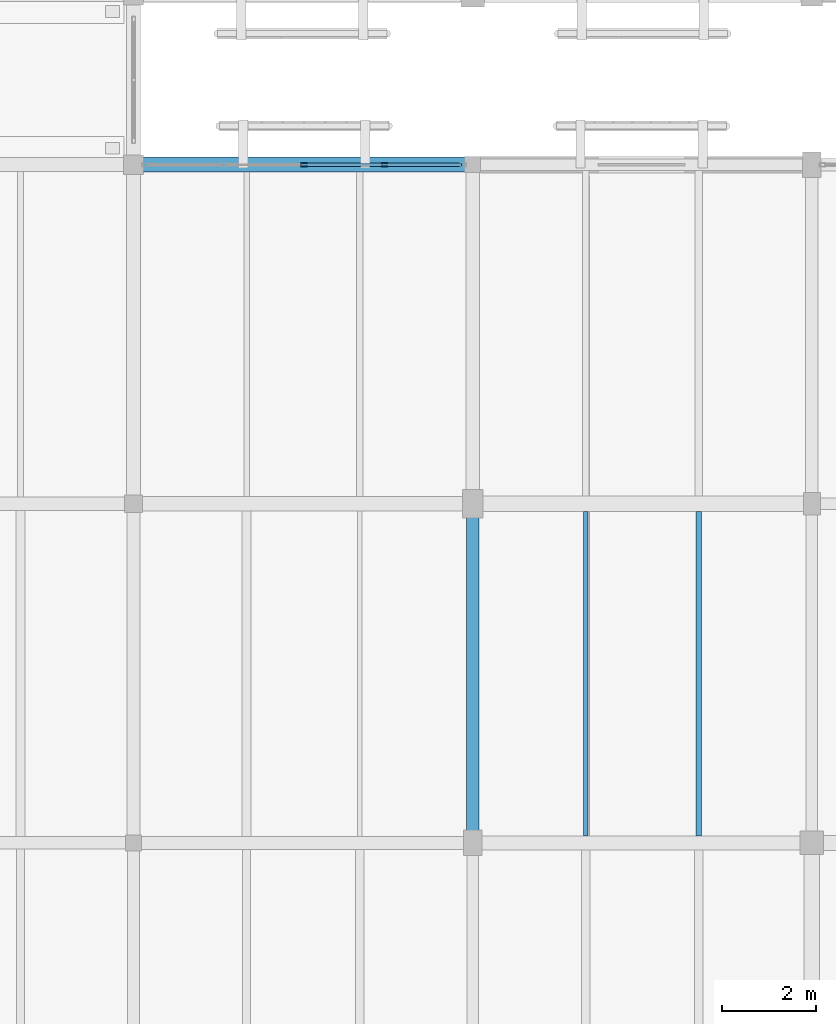
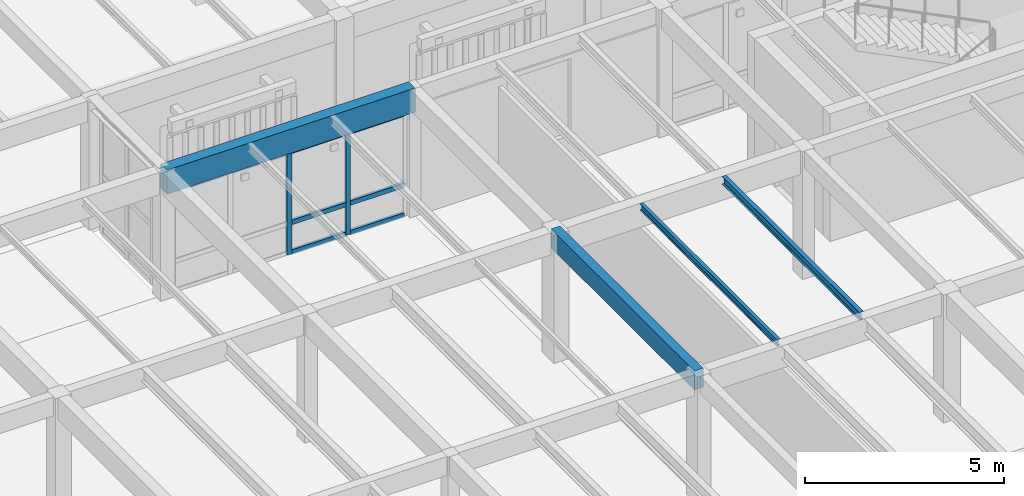
# One storey, part 137 of 217: 8 members, 4 beams, 1 element without a shape of its own.
"""IFC4 building model written with IfcOpenShell, lengths in metres."""

from ifc_helpers import new_model, si_unit, direction, frame, origin, origin_2d, place, context, subcontext, project, spatial, rectangle, hollow_rectangle, i_section, extrude, material, layer, layer_set, material_profile, profile_set, type_object, element, aggregate, save


model = new_model("IFC4")

# Units and contexts
model_context = context("Model", 3, precision=1e-05, world=origin(), true_north=direction((0.0, 1.0)))
body_context = subcontext(model_context, "Body", "Model", "MODEL_VIEW")
ifc_project = project(units=[si_unit("LENGTHUNIT", "METRE"), si_unit("AREAUNIT", "SQUARE_METRE"), si_unit("VOLUMEUNIT", "CUBIC_METRE"), si_unit("PLANEANGLEUNIT", "RADIAN"), si_unit("MASSUNIT", "GRAM", prefix="KILO")], contexts=[model_context])

# Site, building, storey
site_placement = place(None, origin())
site = spatial("IfcSite", under=ifc_project, at=site_placement, CompositionType="ELEMENT")
building_placement = place(site_placement, origin())
building = spatial("IfcBuilding", under=site, at=building_placement, Name="Mazaris Harbour Polytechnic", CompositionType="ELEMENT")
storey_placement = place(building_placement, frame((0.0, 0.0, 9.60009765625)))
storey = spatial("IfcBuildingStorey", under=building, at=storey_placement, Name="L02", CompositionType="ELEMENT", Elevation=9.60009765625)

# Curtain wall, members
ifc_material_1 = material(Name="Anodised Bronze Aluminium and Low-E Glass", Category="aluminium")
ifc_layer = layer(ifc_material_1, 0.159912109375, Name="Anodised Bronze Aluminium and Low-E Glass")
ifc_layer_set = layer_set([ifc_layer], Name="Anodised Bronze Aluminium and Low-E Glass")
curtain_wall_type = type_object("IfcCurtainWallType", Name="Cloister Court Curtain Wall", PredefinedType="NOTDEFINED", material=ifc_layer_set)
curtain_wall_placement = place(storey_placement, origin())
curtain_wall = element("IfcCurtainWall", 1, at=curtain_wall_placement, inside=storey, type_object=curtain_wall_type, Name="V2 L02 Curtain Wall 50", PredefinedType="NOTDEFINED")
ifc_material_2 = material(Name="Anodised Bronze Steel S355", Category="steel")
ifc_material_profile_1 = material_profile(ifc_material_2, hollow_rectangle(XDim=0.080078125, YDim=0.139892578125, WallThickness=0.00634765625, at=origin_2d()), Name="RHS 80x140x6.3")
ifc_profile_set_1 = profile_set([ifc_material_profile_1], Name="Anodised Bronze Steel S355")
member_type_1 = type_object("IfcMemberType", Name="Curtain Mullion RHS80x140", PredefinedType="MULLION", material=ifc_profile_set_1)
member_1_placement = place(storey_placement, frame((140.419921875, 43.199951171875, 0.0), z_axis=(0.0, 0.0, 1.0), x_axis=(0.0, 1.0, 0.0)))
member_1 = element("IfcMember", 2, at=member_1_placement, type_object=member_type_1, Name="CW-02 mullion 3", PredefinedType="MULLION", context=body_context, shape_type="SweptSolid", body=[
    extrude(hollow_rectangle(XDim=0.080078125, YDim=0.139892578125, WallThickness=0.00634765625, at=origin_2d()), origin(), (0.0, 0.0, 1.0), 3.169921875),
])
member_2_placement = place(storey_placement, frame((142.12890625, 43.199951171875, 0.0), z_axis=(0.0, 0.0, 1.0), x_axis=(0.0, 1.0, 0.0)))
member_2 = element("IfcMember", 3, at=member_2_placement, type_object=member_type_1, Name="CW-02 mullion 4", PredefinedType="MULLION", context=body_context, shape_type="SweptSolid", body=[
    extrude(hollow_rectangle(XDim=0.080078125, YDim=0.139892578125, WallThickness=0.00634765625, at=origin_2d()), origin(), (0.0, 0.0, 1.0), 3.169921875),
])
ifc_material_3 = material(Name="Anodised Bronze Steel S355", Category="steel")
ifc_material_profile_2 = material_profile(ifc_material_3, hollow_rectangle(XDim=0.080078125, YDim=0.139892578125, WallThickness=0.00634765625, at=origin_2d()), Name="RHS 80x140x6.3")
ifc_profile_set_2 = profile_set([ifc_material_profile_2], Name="Anodised Bronze Steel S355")
member_type_2 = type_object("IfcMemberType", Name="Curtain Transom RHS80x140", PredefinedType="USERDEFINED", material=ifc_profile_set_2)
member_3_placement = place(storey_placement, frame((140.4599609375, 43.199951171875, 0.039794921875), z_axis=(1.0, 0.0, 0.0), x_axis=(0.0, 1.0, 0.0)))
member_3 = element("IfcMember", 4, at=member_3_placement, type_object=member_type_2, Name="CW-02 transom 3.1", ObjectType="TRANSOM", PredefinedType="USERDEFINED", context=body_context, shape_type="SweptSolid", body=[
    extrude(hollow_rectangle(XDim=0.080078125, YDim=0.139892578125, WallThickness=0.00634765625, at=origin_2d()), origin(), (0.0, 0.0, 1.0), 1.629150390625),
])
member_4_placement = place(storey_placement, frame((140.4599609375, 43.199951171875, 0.949951171875), z_axis=(1.0, 0.0, 0.0), x_axis=(0.0, 1.0, 0.0)))
member_4 = element("IfcMember", 5, at=member_4_placement, type_object=member_type_2, Name="CW-02 transom 3.2", ObjectType="TRANSOM", PredefinedType="USERDEFINED", context=body_context, shape_type="SweptSolid", body=[
    extrude(hollow_rectangle(XDim=0.080078125, YDim=0.139892578125, WallThickness=0.00634765625, at=origin_2d()), origin(), (0.0, 0.0, 1.0), 1.629150390625),
])
member_5_placement = place(storey_placement, frame((140.4599609375, 43.199951171875, 3.1298828125), z_axis=(1.0, 0.0, 0.0), x_axis=(0.0, 1.0, 0.0)))
member_5 = element("IfcMember", 6, at=member_5_placement, type_object=member_type_2, Name="CW-02 transom 3.3", ObjectType="TRANSOM", PredefinedType="USERDEFINED", context=body_context, shape_type="SweptSolid", body=[
    extrude(hollow_rectangle(XDim=0.080078125, YDim=0.139892578125, WallThickness=0.00634765625, at=origin_2d()), origin(), (0.0, 0.0, 1.0), 1.629150390625),
])
member_6_placement = place(storey_placement, frame((142.1689453125, 43.199951171875, 0.039794921875), z_axis=(1.0, 0.0, 0.0), x_axis=(0.0, 1.0, 0.0)))
member_6 = element("IfcMember", 7, at=member_6_placement, type_object=member_type_2, Name="CW-02 transom 4.1", ObjectType="TRANSOM", PredefinedType="USERDEFINED", context=body_context, shape_type="SweptSolid", body=[
    extrude(hollow_rectangle(XDim=0.080078125, YDim=0.139892578125, WallThickness=0.00634765625, at=origin_2d()), origin(), (0.0, 0.0, 1.0), 1.589111328125),
])
member_7_placement = place(storey_placement, frame((142.1689453125, 43.199951171875, 0.949951171875), z_axis=(1.0, 0.0, 0.0), x_axis=(0.0, 1.0, 0.0)))
member_7 = element("IfcMember", 8, at=member_7_placement, type_object=member_type_2, Name="CW-02 transom 4.2", ObjectType="TRANSOM", PredefinedType="USERDEFINED", context=body_context, shape_type="SweptSolid", body=[
    extrude(hollow_rectangle(XDim=0.080078125, YDim=0.139892578125, WallThickness=0.00634765625, at=origin_2d()), origin(), (0.0, 0.0, 1.0), 1.589111328125),
])
member_8_placement = place(storey_placement, frame((142.1689453125, 43.199951171875, 3.1298828125), z_axis=(1.0, 0.0, 0.0), x_axis=(0.0, 1.0, 0.0)))
member_8 = element("IfcMember", 9, at=member_8_placement, type_object=member_type_2, Name="CW-02 transom 4.3", ObjectType="TRANSOM", PredefinedType="USERDEFINED", context=body_context, shape_type="SweptSolid", body=[
    extrude(hollow_rectangle(XDim=0.080078125, YDim=0.139892578125, WallThickness=0.00634765625, at=origin_2d()), origin(), (0.0, 0.0, 1.0), 1.589111328125),
])
aggregate(curtain_wall, [member_1, member_2, member_3, member_4, member_5, member_6, member_7, member_8])

# Beams
ifc_material_4 = material(Name="Glulam GL32h", Category="wood")
ifc_material_profile_3 = material_profile(ifc_material_4, rectangle(XDim=0.260009765625, YDim=0.580078125, at=origin_2d()), Name="RECT260x580")
ifc_profile_set_3 = profile_set([ifc_material_profile_3], Name="Glulam GL32h")
beam_type_1 = type_object("IfcBeamType", Name="Glulam Girder 260x580", PredefinedType="BEAM", material=ifc_profile_set_3)
beam_1_placement = place(storey_placement, frame((144.0, 28.800048828125, 3.6298828125), z_axis=(0.0, 1.0, 0.0), x_axis=(-1.0, 0.0, 0.0)))
element("IfcBeam", 10, at=beam_1_placement, inside=storey, type_object=beam_type_1, Name="V2 L02 Tie Girder 686", PredefinedType="BEAM", context=body_context, shape_type="SweptSolid", body=[
    extrude(rectangle(XDim=0.260009765625, YDim=0.580078125, at=origin_2d()), origin(), (0.0, 0.0, 1.0), 7.199951171875),
])
ifc_material_5 = material(Name="Glulam GL32h", Category="wood")
ifc_material_profile_4 = material_profile(ifc_material_5, rectangle(XDim=0.320068359375, YDim=0.739990234375, at=origin_2d()), Name="RECT320x740")
ifc_profile_set_4 = profile_set([ifc_material_profile_4], Name="Glulam GL32h")
beam_type_2 = type_object("IfcBeamType", Name="Glulam Girder 320x740 Exterior", PredefinedType="BEAM", material=ifc_profile_set_4)
beam_2_placement = place(storey_placement, frame((136.800048828125, 43.199951171875, 3.5498046875), z_axis=(1.0, 0.0, 0.0), x_axis=(0.0, 1.0, 0.0)))
element("IfcBeam", 11, at=beam_2_placement, inside=storey, type_object=beam_type_2, Name="V2 L02 Girder 669", PredefinedType="BEAM", context=body_context, shape_type="SweptSolid", body=[
    extrude(rectangle(XDim=0.320068359375, YDim=0.739990234375, at=origin_2d()), origin(), (0.0, 0.0, 1.0), 7.199951171875),
])
ifc_material_6 = material(Name="Steel S355", Category="steel")
ifc_material_profile_5 = material_profile(ifc_material_6, i_section(OverallWidth=0.10009765625, OverallDepth=0.199951171875, WebThickness=0.005615234375, FlangeThickness=0.008544921875, FilletRadius=0.011962890625, at=origin_2d()), Name="IPE 200")
ifc_profile_set_5 = profile_set([ifc_material_profile_5], Name="Steel S355")
beam_type_3 = type_object("IfcBeamType", Name="Steel Joist IPE200", PredefinedType="JOIST", material=ifc_profile_set_5)
beam_3_placement = place(storey_placement, frame((146.39990234375, 28.949951171875, 3.81982421875), z_axis=(0.0, 1.0, 0.0), x_axis=(-1.0, 0.0, 0.0)))
element("IfcBeam", 12, at=beam_3_placement, inside=storey, type_object=beam_type_3, Name="V2 L02 Floor Joist 721", PredefinedType="JOIST", context=body_context, shape_type="SweptSolid", body=[
    extrude(i_section(OverallWidth=0.10009765625, OverallDepth=0.199951171875, WebThickness=0.005615234375, FlangeThickness=0.008544921875, FilletRadius=0.011962890625, at=origin_2d()), origin(), (0.0, 0.0, 1.0), 6.89013671875),
])
ifc_material_7 = material(Name="Steel S355", Category="steel")
ifc_material_profile_6 = material_profile(ifc_material_7, i_section(OverallWidth=0.1201171875, OverallDepth=0.239990234375, WebThickness=0.006103515625, FlangeThickness=0.009765625, FilletRadius=0.014892578125, at=origin_2d()), Name="IPE 240")
ifc_profile_set_6 = profile_set([ifc_material_profile_6], Name="Steel S355")
beam_type_4 = type_object("IfcBeamType", Name="Steel Joist IPE240", PredefinedType="JOIST", material=ifc_profile_set_6)
beam_4_placement = place(storey_placement, frame((148.800048828125, 28.949951171875, 3.7998046875), z_axis=(0.0, 1.0, 0.0), x_axis=(-1.0, 0.0, 0.0)))
element("IfcBeam", 13, at=beam_4_placement, inside=storey, type_object=beam_type_4, Name="V2 L02 Floor Joist 722", PredefinedType="JOIST", context=body_context, shape_type="SweptSolid", body=[
    extrude(i_section(OverallWidth=0.1201171875, OverallDepth=0.239990234375, WebThickness=0.006103515625, FlangeThickness=0.009765625, FilletRadius=0.014892578125, at=origin_2d()), origin(), (0.0, 0.0, 1.0), 6.89013671875),
])

save(model, "model.ifc")
